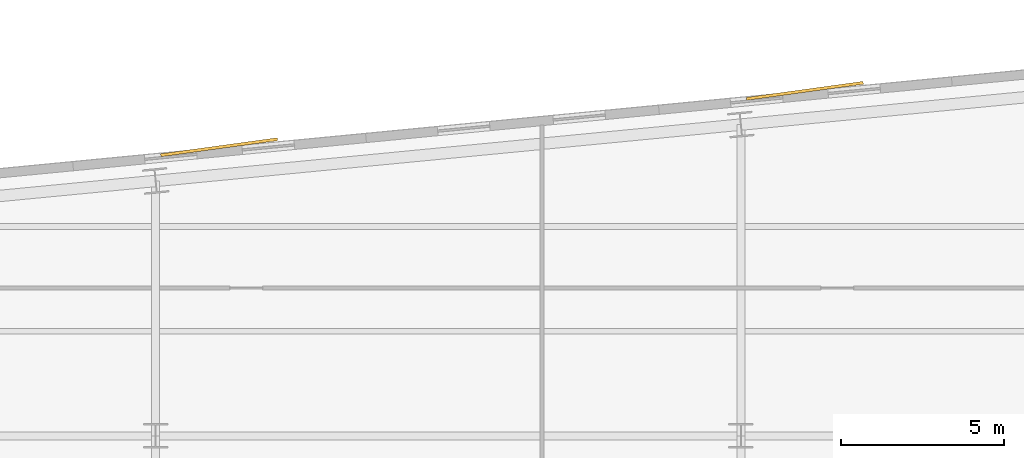
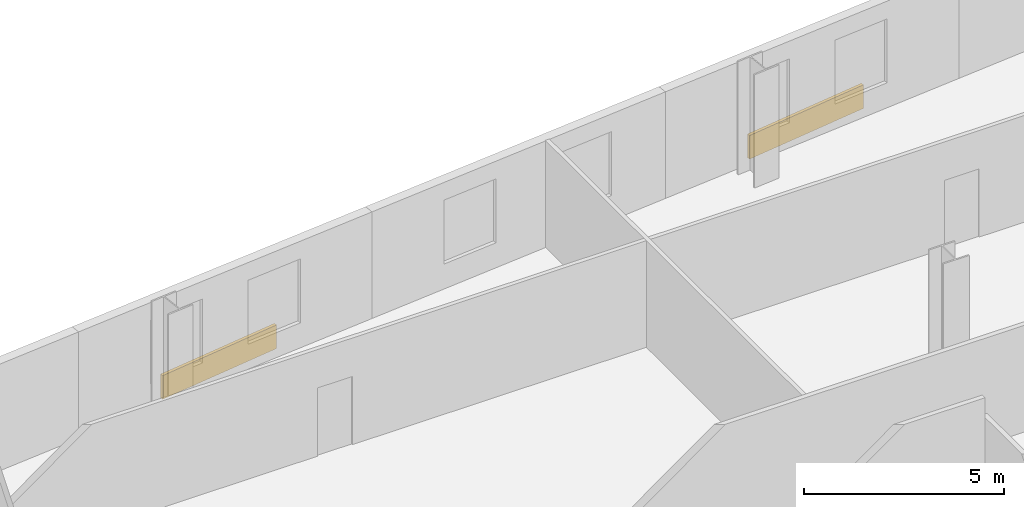
# One storey, part 10 of 10: 2 coverings.
"""IFC4 building model written with IfcOpenShell, lengths in metres."""

import ifcopenshell
import ifcopenshell.guid

model = None  # the IFC model being written
_history = None  # IfcOwnerHistory: only IFC2X3 demands one
_inside = {}  # id of a spatial element -> (the spatial element, [elements in it])
_under = {}  # id of a project, library or spatial element -> (it, [spatial elements below it])
_declared = {}  # id of a project -> (the project, [libraries it declares])
_typed = {}  # id of a type object -> (the type object, [elements of that type])
_made_of = {}  # id of a material, layer set ... -> (it, [elements and type objects made of it])


def new_model(schema):
    """Start an empty IFC model of exactly this schema.

    Asked for "IFC4X3", IfcOpenShell would pick the latest addendum, in which some entities
    have other attributes; the version numbers below select the first issue.
    IFC2X3 requires an IfcOwnerHistory on every rooted entity: one is made here for all.
    """
    global model, _history
    if schema == "IFC4X3":
        model = ifcopenshell.file(schema_version=(4, 3, 0, 0))
    else:
        model = ifcopenshell.file(schema=schema)
    _inside.clear()
    _under.clear()
    _declared.clear()
    _typed.clear()
    _made_of.clear()
    _history = None
    if model.schema == "IFC2X3":
        org = make("IfcOrganization", Name="unknown")
        user = make(
            "IfcPersonAndOrganization",
            ThePerson=make("IfcPerson", FamilyName="unknown"),
            TheOrganization=org,
        )
        app = make(
            "IfcApplication",
            ApplicationDeveloper=org,
            Version="unknown",
            ApplicationFullName="unknown",
            ApplicationIdentifier="unknown",
        )
        _history = make(
            "IfcOwnerHistory",
            OwningUser=user,
            OwningApplication=app,
            ChangeAction="ADDED",
            CreationDate=0,
        )
    return model


def make(cls, **values):
    """One entity of the class cls with the attributes given. An attribute that is None is left unset."""
    return model.create_entity(
        cls, **{name: value for name, value in values.items() if value is not None}
    )


def rooted(cls, **values):
    """An entity with a GlobalId (a new one), such as an element, a storey or a relation."""
    return make(cls, GlobalId=ifcopenshell.guid.new(), OwnerHistory=_history, **values)


def si_unit(unit_type, name, prefix=None):
    """IfcSIUnit, for example si_unit("LENGTHUNIT", "METRE", prefix="MILLI")."""
    return make("IfcSIUnit", UnitType=unit_type, Prefix=prefix, Name=name)


def assignment(units):
    """IfcUnitAssignment: the units of a project."""
    return None if units is None else make("IfcUnitAssignment", Units=units)


def point(xyz):
    """IfcCartesianPoint."""
    return None if xyz is None else make("IfcCartesianPoint", Coordinates=xyz)


def direction(xyz):
    """IfcDirection."""
    return None if xyz is None else make("IfcDirection", DirectionRatios=xyz)


def frame(location, z_axis=None, x_axis=None):
    """IfcAxis2Placement3D, a coordinate frame: its origin and axes. An axis left out is left unset."""
    return make(
        "IfcAxis2Placement3D",
        Location=point(location),
        Axis=direction(z_axis),
        RefDirection=direction(x_axis),
    )


def frame_2d(location, x_axis=None):
    """IfcAxis2Placement2D, a coordinate frame in the plane: its origin and x axis."""
    return make(
        "IfcAxis2Placement2D", Location=point(location), RefDirection=direction(x_axis)
    )


def origin():
    """The frame at (0, 0, 0) with its axes left unset."""
    return frame((0.0, 0.0, 0.0))


def origin_2d():
    """The frame at (0, 0) in the plane with its x axis left unset."""
    return frame_2d((0.0, 0.0))


def place(relative_to, where):
    """IfcLocalPlacement: puts the frame where relative to a parent placement (None: the world)."""
    return make(
        "IfcLocalPlacement", PlacementRelTo=relative_to, RelativePlacement=where
    )


def context(
    kind, dimensions, precision=None, world=None, true_north=None, identifier=None
):
    """IfcGeometricRepresentationContext, for example the 3D "Model" context."""
    return make(
        "IfcGeometricRepresentationContext",
        ContextIdentifier=identifier,
        ContextType=kind,
        CoordinateSpaceDimension=dimensions,
        Precision=precision,
        WorldCoordinateSystem=world,
        TrueNorth=true_north,
    )


def subcontext(parent, identifier, kind, view, scale=None):
    """IfcGeometricRepresentationSubContext, for example "Body" below "Model"."""
    return make(
        "IfcGeometricRepresentationSubContext",
        ContextIdentifier=identifier,
        ContextType=kind,
        ParentContext=parent,
        TargetScale=scale,
        TargetView=view,
    )


def project(units=None, contexts=None):
    """IfcProject with its units and contexts."""
    return rooted(
        "IfcProject",
        Name="project",
        RepresentationContexts=contexts,
        UnitsInContext=assignment(units),
    )


def spatial(cls, under=None, at=None, **own):
    """A site, building, storey or space (cls), placed at a placement, below another one or the project."""
    s = rooted(cls, ObjectPlacement=at, **own)
    if under is not None:
        _under.setdefault(under.id(), (under, []))[1].append(s)
    return s


def profile(cls, at=None, kind="AREA", **sizes):
    """A parametric profile (cls). Its sizes go by their IFC names, for example OverallWidth=200.0."""
    return make(cls, ProfileType=kind, Position=at, **sizes)


def rectangle(**sizes):
    """IfcRectangleProfileDef."""
    return profile("IfcRectangleProfileDef", **sizes)


def extrude(swept, where, along, depth):
    """IfcExtrudedAreaSolid: the profile swept, set in the frame where, extruded along a direction by depth."""
    return make(
        "IfcExtrudedAreaSolid",
        SweptArea=swept,
        Position=where,
        ExtrudedDirection=direction(along),
        Depth=depth,
    )


def shape(context_of_items, identifier, shape_type, items):
    """IfcShapeRepresentation: the items that make up one representation, for example the "Body"."""
    return make(
        "IfcShapeRepresentation",
        ContextOfItems=context_of_items,
        RepresentationIdentifier=identifier,
        RepresentationType=shape_type,
        Items=items,
    )


def material(Name=None, Category=None):
    """IfcMaterial."""
    return make("IfcMaterial", Name=Name, Category=Category)


def layer(
    of_material, thickness, ventilated=None, Name=None, Category=None, Priority=None
):
    """IfcMaterialLayer: one layer of a wall or slab, of a material (None: an air gap)."""
    return make(
        "IfcMaterialLayer",
        Material=of_material,
        LayerThickness=thickness,
        IsVentilated=ventilated,
        Name=Name,
        Category=Category,
        Priority=Priority,
    )


def layer_set(layers, Name=None):
    """IfcMaterialLayerSet."""
    return make("IfcMaterialLayerSet", MaterialLayers=layers, LayerSetName=Name)


def made_of(thing, what):
    """Note that an element or type object is made of a material, layer set ...; save() writes the relation."""
    if what is not None:
        _made_of.setdefault(what.id(), (what, []))[1].append(thing)
    return thing


def type_object(cls, material=None, **own):
    """A type object (cls), such as IfcWallType, which elements share."""
    return made_of(rooted(cls, **own), material)


def element(
    cls,
    number,
    at=None,
    inside=None,
    cuts=None,
    type_object=None,
    material=None,
    context=None,
    identifier="Body",
    shape_type=None,
    held_by="IfcProductDefinitionShape",
    body=None,
    shapes=None,
    **own,
):
    """One element of the class cls, such as IfcWall. Its Tag is "e" and its number.

    at: its placement. inside: the storey or other place that contains it. cuts: it is an
    opening in that element (IfcRelVoidsElement). A single representation is given by context,
    identifier, shape_type and body (its items); several are given by shapes. held_by: the class
    of the entity that holds the representations. save() writes the other relations.
    """
    e = rooted(cls, Tag="e%d" % number, ObjectPlacement=at, **own)
    if body is not None:
        shapes = [shape(context, identifier, shape_type, body)]
    if shapes is not None:
        e.Representation = make(held_by, Representations=shapes)
    if inside is not None:
        _inside.setdefault(inside.id(), (inside, []))[1].append(e)
    if cuts is not None:
        rooted(
            "IfcRelVoidsElement", RelatingBuildingElement=cuts, RelatedOpeningElement=e
        )
    if type_object is not None:
        _typed.setdefault(type_object.id(), (type_object, []))[1].append(e)
    return made_of(e, material)


def aggregate(whole, parts):
    """IfcRelAggregates: a whole, such as a stair, and the parts it consists of."""
    return rooted("IfcRelAggregates", RelatingObject=whole, RelatedObjects=parts)


def save(model, path):
    """Write the relations noted so far, then the file.

    IfcRelAggregates (storeys below a building ...), IfcRelContainedInSpatialStructure (elements
    in a storey), IfcRelDefinesByType, IfcRelAssociatesMaterial and IfcRelDeclares: one each for
    every whole, place, type object, material and project.
    """
    for whole, parts in _under.values():
        aggregate(whole, parts)
    for where, things in _inside.values():
        rooted(
            "IfcRelContainedInSpatialStructure",
            RelatedElements=things,
            RelatingStructure=where,
        )
    for kind, things in _typed.values():
        rooted("IfcRelDefinesByType", RelatedObjects=things, RelatingType=kind)
    for what, things in _made_of.values():
        rooted("IfcRelAssociatesMaterial", RelatedObjects=things, RelatingMaterial=what)
    for by, libraries in _declared.values():
        rooted("IfcRelDeclares", RelatingContext=by, RelatedDefinitions=libraries)
    model.write(path)


model = new_model("IFC4")

# Units and contexts
model_context = context("Model", 3, precision=1e-05, world=origin(), true_north=direction((0.0, 1.0)))
body_context = subcontext(model_context, "Body", "Model", "MODEL_VIEW")
ifc_project = project(units=[si_unit("LENGTHUNIT", "METRE"), si_unit("AREAUNIT", "SQUARE_METRE"), si_unit("VOLUMEUNIT", "CUBIC_METRE"), si_unit("PLANEANGLEUNIT", "RADIAN"), si_unit("MASSUNIT", "GRAM", prefix="KILO")], contexts=[model_context])

# Site, building, storey
site_placement = place(None, origin())
site = spatial("IfcSite", under=ifc_project, at=site_placement, CompositionType="ELEMENT")
building_placement = place(site_placement, origin())
building = spatial("IfcBuilding", under=site, at=building_placement, Name="Velakula Bourse", CompositionType="ELEMENT")
storey_placement = place(building_placement, frame((0.0, 0.0, 98.35009765625)))
storey = spatial("IfcBuildingStorey", under=building, at=storey_placement, Name="L26", CompositionType="ELEMENT", Elevation=98.35009765625)

# Coverings
ifc_material = material(Name="Buff kilned clay facing brick masonry", Category="masonry")
ifc_layer = layer(ifc_material, 0.074951171875, Name="Buff kilned clay facing brick masonry", Category="masonry")
ifc_layer_set = layer_set([ifc_layer], Name="Buff kilned clay facing brick masonry")
covering_type = type_object("IfcCoveringType", Name="COV-BRK-SPN-75", PredefinedType="CLADDING", material=ifc_layer_set)
for number, where, z_axis, x_axis, name in (
    (1, (-7.0087890625, 23.428955078125, 0.0), (0.0, 0.0, 1.0), (0.990629029058, 0.136580111242, 0.0), "L26 Folded Brick Facade Cladding Panel N-B2"),
    (2, (10.908447265625, 25.154052734375, 0.0), (0.0, 0.0, 1.0), (0.990629029058, 0.136580111242, 0.0), "L26 Folded Brick Facade Cladding Panel N-B4"),
):
    element("IfcCovering", number, at=place(storey_placement, frame(where, z_axis=z_axis, x_axis=x_axis)), inside=storey, type_object=covering_type, Name=name, PredefinedType="CLADDING", context=body_context, shape_type="SweptSolid", body=[
        extrude(rectangle(XDim=3.60009765625, YDim=0.090087890625, at=origin_2d()), origin(), (0.0, 0.0, 1.0), 0.719970703125),
    ])

save(model, "model.ifc")
